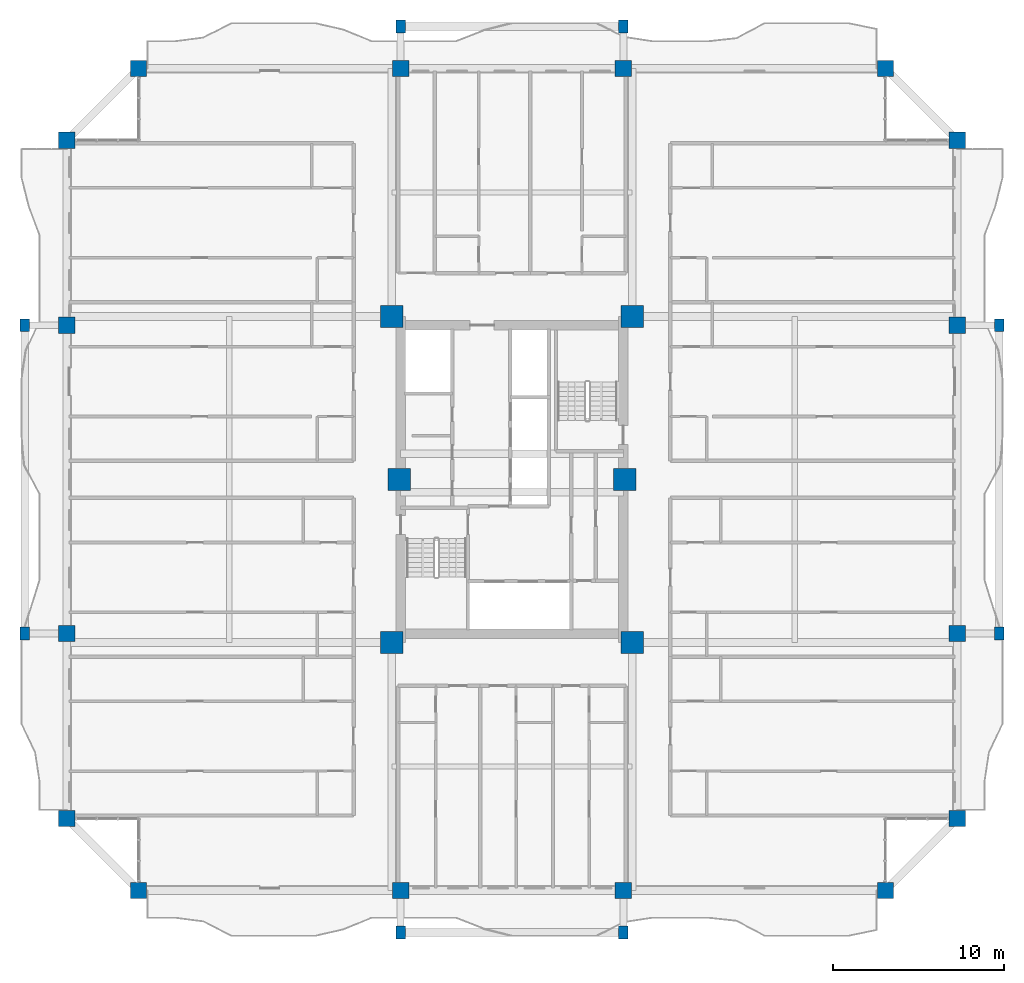
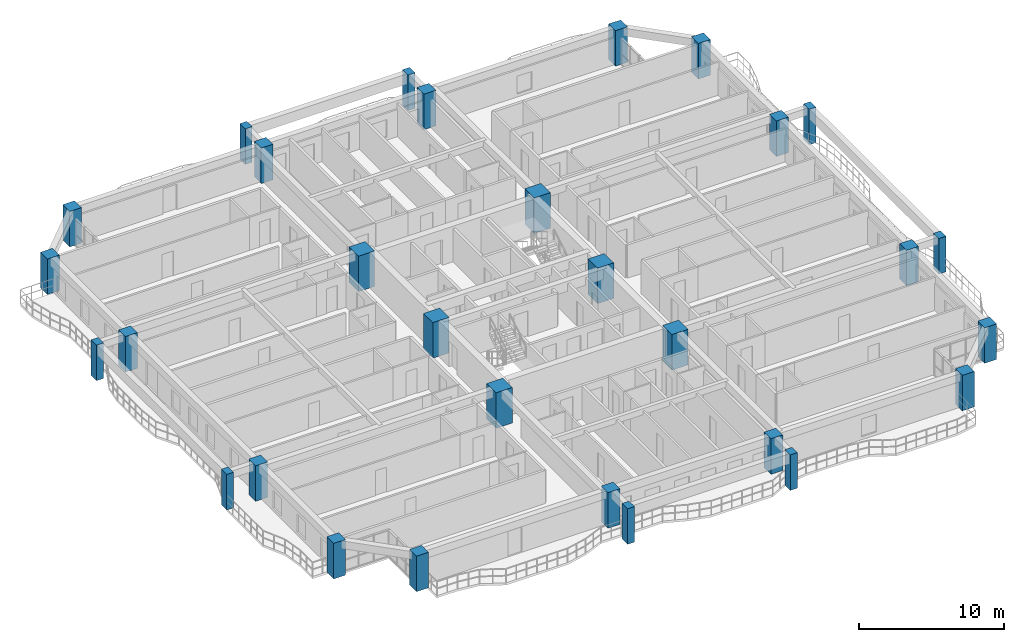
# One storey, part 1 of 25: 30 columns.
"""IFC4 building model written with IfcOpenShell, lengths in metres."""

from ifc_helpers import new_model, si_unit, direction, frame, origin, origin_2d, place, context, subcontext, project, spatial, rectangle, extrude, source, transform, mapped, material, material_profile, profile_set, type_object, element, save


model = new_model("IFC4")

# Units and contexts
model_context = context("Model", 3, precision=1e-05, world=origin(), true_north=direction((0.0, 1.0)))
body_context = subcontext(model_context, "Body", "Model", "MODEL_VIEW")
ifc_project = project(units=[si_unit("LENGTHUNIT", "METRE"), si_unit("AREAUNIT", "SQUARE_METRE"), si_unit("VOLUMEUNIT", "CUBIC_METRE"), si_unit("PLANEANGLEUNIT", "RADIAN"), si_unit("MASSUNIT", "GRAM", prefix="KILO")], contexts=[model_context])

# Site, building, storey
site_placement = place(None, origin())
site = spatial("IfcSite", under=ifc_project, at=site_placement, CompositionType="ELEMENT")
building_placement = place(site_placement, origin())
building = spatial("IfcBuilding", under=site, at=building_placement, Name="Saelheon Loggia Tower", CompositionType="ELEMENT")
storey_placement = place(building_placement, frame((0.0, 0.0, 107.85009765625)))
storey = spatial("IfcBuildingStorey", under=building, at=storey_placement, Name="L34", CompositionType="ELEMENT", Elevation=107.85009765625)

# Columns
ifc_material_1 = material(Name="Precast Concrete C45/55", Category="concrete")
ifc_material_profile_1 = material_profile(ifc_material_1, rectangle(XDim=0.550048828125, YDim=0.75, at=origin_2d()), Name="RC-550x750")
ifc_profile_set_1 = profile_set([ifc_material_profile_1], Name="Precast Concrete C45/55")
column_type_1 = type_object("IfcColumnType", Name="Col_Loggia_Pilaster_750", PredefinedType="PILASTER", material=ifc_profile_set_1)
shared_shape_1 = source(origin(), body_context, "Body", "SweptSolid", [
    extrude(rectangle(XDim=0.550048828125, YDim=0.75, at=origin_2d()), origin(), (0.0, 0.0, 1.0), 3.0),
])
for number, where, z_axis, x_axis, name in (
    (1, (31.5, 0.550048828125, 0.0), (0.0, 0.0, 1.0), (1.0, 0.0, 0.0), "L34 Loggia Frame Pilaster LP-S1"),
    (2, (44.5, 0.550048828125, 0.0), (0.0, 0.0, 1.0), (1.0, 0.0, 0.0), "L34 Loggia Frame Pilaster LP-S2"),
    (3, (31.5, 53.449951171875, 0.0), (0.0, 0.0, 1.0), (1.0, 0.0, 0.0), "L34 Loggia Frame Pilaster LP-N1"),
    (4, (44.5, 53.449951171875, 0.0), (0.0, 0.0, 1.0), (1.0, 0.0, 0.0), "L34 Loggia Frame Pilaster LP-N2"),
    (5, (66.449951171875, 18.0, 0.0), (0.0, 0.0, 1.0), (1.0, 0.0, 0.0), "L34 Loggia Frame Pilaster LP-E1"),
    (6, (66.449951171875, 36.0, 0.0), (0.0, 0.0, 1.0), (1.0, 0.0, 0.0), "L34 Loggia Frame Pilaster LP-E2"),
    (7, (9.550048828125, 18.0, 0.0), (0.0, 0.0, 1.0), (1.0, 0.0, 0.0), "L34 Loggia Frame Pilaster LP-W1"),
    (8, (9.550048828125, 36.0, 0.0), (0.0, 0.0, 1.0), (1.0, 0.0, 0.0), "L34 Loggia Frame Pilaster LP-W2"),
):
    element("IfcColumn", number, at=place(storey_placement, frame(where, z_axis=z_axis, x_axis=x_axis)), inside=storey, type_object=column_type_1, Name=name, PredefinedType="PILASTER", context=body_context, shape_type="MappedRepresentation", body=[
        mapped(shared_shape_1, transform((0.0, 0.0, 0.0), scale=1.0)),
    ])
ifc_material_2 = material(Name="Concrete C60/75", Category="concrete")
ifc_material_profile_2 = material_profile(ifc_material_2, rectangle(XDim=1.300048828125, YDim=1.300048828125, at=origin_2d()), Name="RC-1300x1300")
ifc_profile_set_2 = profile_set([ifc_material_profile_2], Name="Concrete C60/75")
column_type_2 = type_object("IfcColumnType", Name="Col_Core_RC1300", PredefinedType="COLUMN", material=ifc_profile_set_2)
shared_shape_2 = source(origin(), body_context, "Body", "SweptSolid", [
    extrude(rectangle(XDim=1.300048828125, YDim=1.300048828125, at=origin_2d()), origin(), (0.0, 0.0, 1.0), 3.0),
])
for number, where, z_axis, x_axis, name in (
    (9, (30.97998046875, 17.47998046875, 0.0), (0.0, 0.0, 1.0), (1.0, 0.0, 0.0), "L34 Core Column CR-SW"),
    (10, (45.02001953125, 17.47998046875, 0.0), (0.0, 0.0, 1.0), (1.0, 0.0, 0.0), "L34 Core Column CR-SE"),
    (11, (30.97998046875, 36.52001953125, 0.0), (0.0, 0.0, 1.0), (1.0, 0.0, 0.0), "L34 Core Column CR-NW"),
    (12, (45.02001953125, 36.52001953125, 0.0), (0.0, 0.0, 1.0), (1.0, 0.0, 0.0), "L34 Core Column CR-NE"),
    (13, (31.419921875, 27.0, 0.0), (0.0, 0.0, 1.0), (1.0, 0.0, 0.0), "L34 Core Column CR-MW"),
    (14, (44.580078125, 27.0, 0.0), (0.0, 0.0, 1.0), (1.0, 0.0, 0.0), "L34 Core Column CR-ME"),
):
    element("IfcColumn", number, at=place(storey_placement, frame(where, z_axis=z_axis, x_axis=x_axis)), inside=storey, type_object=column_type_2, Name=name, PredefinedType="COLUMN", context=body_context, shape_type="MappedRepresentation", body=[
        mapped(shared_shape_2, transform((0.0, 0.0, 0.0), scale=1.0)),
    ])
ifc_material_3 = material(Name="Concrete C50/60", Category="concrete")
ifc_material_profile_3 = material_profile(ifc_material_3, rectangle(XDim=0.949951171875, YDim=0.949951171875, at=origin_2d()), Name="RC-950x950")
ifc_profile_set_3 = profile_set([ifc_material_profile_3], Name="Concrete C50/60")
column_type_3 = type_object("IfcColumnType", Name="Col_Perim_RC950", PredefinedType="COLUMN", material=ifc_profile_set_3)
shared_shape_3 = source(origin(), body_context, "Body", "SweptSolid", [
    extrude(rectangle(XDim=0.949951171875, YDim=0.949951171875, at=origin_2d()), origin(), (0.0, 0.0, 1.0), 3.0),
])
for number, where, z_axis, x_axis, name in (
    (15, (16.199951171875, 3.0, 0.0), (0.0, 0.0, 1.0), (1.0, 0.0, 0.0), "L34 Perimeter Column TP-S1"),
    (16, (31.5, 3.0, 0.0), (0.0, 0.0, 1.0), (1.0, 0.0, 0.0), "L34 Perimeter Column TP-SA"),
    (17, (44.5, 3.0, 0.0), (0.0, 0.0, 1.0), (1.0, 0.0, 0.0), "L34 Perimeter Column TP-SB"),
    (18, (59.800048828125, 3.0, 0.0), (0.0, 0.0, 1.0), (1.0, 0.0, 0.0), "L34 Perimeter Column TP-S2"),
    (19, (64.0, 7.199951171875, 0.0), (0.0, 0.0, 1.0), (1.0, 0.0, 0.0), "L34 Perimeter Column TP-E1"),
    (20, (64.0, 18.0, 0.0), (0.0, 0.0, 1.0), (1.0, 0.0, 0.0), "L34 Perimeter Column TP-EA"),
    (21, (64.0, 36.0, 0.0), (0.0, 0.0, 1.0), (1.0, 0.0, 0.0), "L34 Perimeter Column TP-EB"),
    (22, (64.0, 46.800048828125, 0.0), (0.0, 0.0, 1.0), (1.0, 0.0, 0.0), "L34 Perimeter Column TP-E2"),
    (23, (59.800048828125, 51.0, 0.0), (0.0, 0.0, 1.0), (1.0, 0.0, 0.0), "L34 Perimeter Column TP-N2"),
    (24, (44.5, 51.0, 0.0), (0.0, 0.0, 1.0), (1.0, 0.0, 0.0), "L34 Perimeter Column TP-NB"),
    (25, (31.5, 51.0, 0.0), (0.0, 0.0, 1.0), (1.0, 0.0, 0.0), "L34 Perimeter Column TP-NA"),
    (26, (16.199951171875, 51.0, 0.0), (0.0, 0.0, 1.0), (1.0, 0.0, 0.0), "L34 Perimeter Column TP-N1"),
    (27, (12.0, 46.800048828125, 0.0), (0.0, 0.0, 1.0), (1.0, 0.0, 0.0), "L34 Perimeter Column TP-W2"),
    (28, (12.0, 36.0, 0.0), (0.0, 0.0, 1.0), (1.0, 0.0, 0.0), "L34 Perimeter Column TP-WB"),
    (29, (12.0, 18.0, 0.0), (0.0, 0.0, 1.0), (1.0, 0.0, 0.0), "L34 Perimeter Column TP-WA"),
    (30, (12.0, 7.199951171875, 0.0), (0.0, 0.0, 1.0), (1.0, 0.0, 0.0), "L34 Perimeter Column TP-W1"),
):
    element("IfcColumn", number, at=place(storey_placement, frame(where, z_axis=z_axis, x_axis=x_axis)), inside=storey, type_object=column_type_3, Name=name, PredefinedType="COLUMN", context=body_context, shape_type="MappedRepresentation", body=[
        mapped(shared_shape_3, transform((0.0, 0.0, 0.0), scale=1.0)),
    ])

save(model, "model.ifc")
